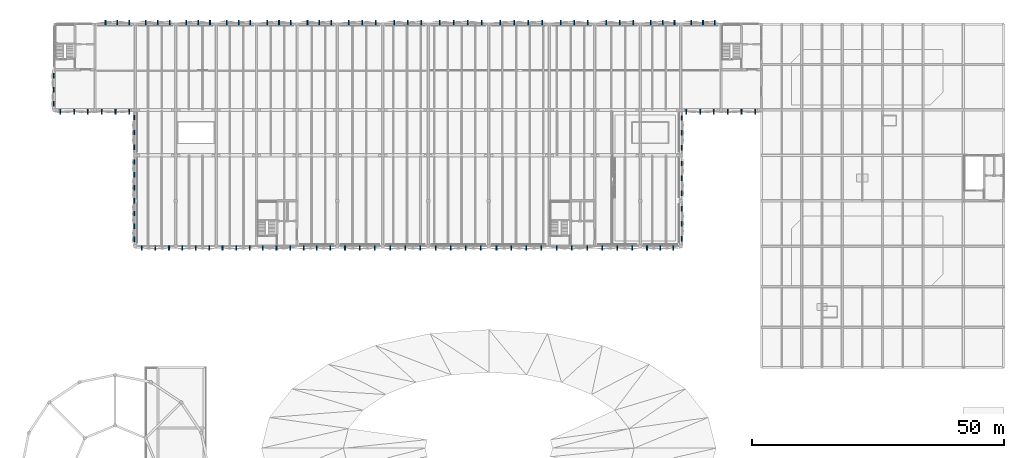
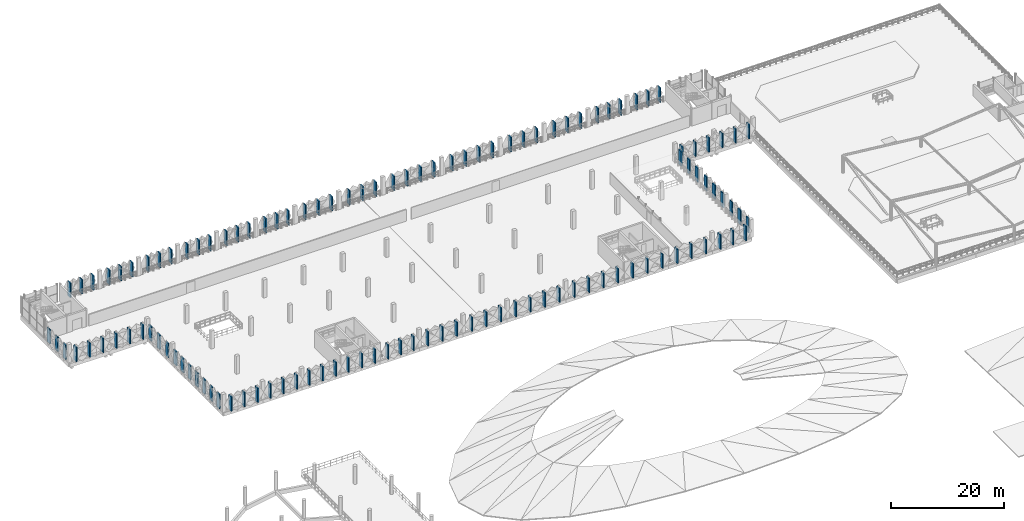
# One storey, part 33 of 52: 116 discrete accessories.
"""IFC4 building model written with IfcOpenShell, lengths in metres."""

from ifc_helpers import new_model, si_unit, derived_unit, direction, frame, origin, origin_2d, place, context, subcontext, project, spatial, rectangle, extrude, material, type_object, element, save


model = new_model("IFC4")

# Units and contexts
model_context = context("Model", 3, precision=1e-05, world=origin(), true_north=direction((0.0, 1.0)))
body_context = subcontext(model_context, "Body", "Model", "MODEL_VIEW")
ifc_project = project(units=[si_unit("LENGTHUNIT", "METRE"), si_unit("AREAUNIT", "SQUARE_METRE"), si_unit("VOLUMEUNIT", "CUBIC_METRE"), si_unit("PLANEANGLEUNIT", "RADIAN"), si_unit("MASSUNIT", "GRAM", prefix="KILO"), si_unit("THERMODYNAMICTEMPERATUREUNIT", "KELVIN"), derived_unit("THERMALTRANSMITTANCEUNIT", [(si_unit("POWERUNIT", "WATT"), 1), (si_unit("AREAUNIT", "SQUARE_METRE"), -1), (si_unit("THERMODYNAMICTEMPERATUREUNIT", "KELVIN"), -1)])], contexts=[model_context])

# Site, building, storey
site_placement = place(None, origin())
site = spatial("IfcSite", under=ifc_project, at=site_placement, CompositionType="ELEMENT")
building_placement = place(site_placement, origin())
building = spatial("IfcBuilding", under=site, at=building_placement, Name="Haiyu Intermodal Mobility Hub", CompositionType="ELEMENT")
storey_placement = place(building_placement, frame((0.0, 0.0, 21.199951171875)))
storey = spatial("IfcBuildingStorey", under=building, at=storey_placement, Name="L05", CompositionType="ELEMENT", Elevation=21.199951171875)

# Discrete accessories
ifc_material = material(Name="Steel Q355C", Category="steel")
discrete_accessory_type = type_object("IfcDiscreteAccessoryType", Name="ACC-BK02", PredefinedType="BRACKET", material=ifc_material)
for number, where, z_axis, x_axis, name in (
    (1, (36.787109375, 148.340087890625, 0.050048828125), (0.0, 0.0, 1.0), (1.0, 0.0, 0.0), "BRK-PYR-0031"),
    (2, (34.43994140625, 148.340087890625, 0.050048828125), (0.0, 0.0, 1.0), (1.0, 0.0, 0.0), "BRK-PYR-0034"),
    (3, (32.093017578125, 148.340087890625, 0.050048828125), (0.0, 0.0, 1.0), (1.0, 0.0, 0.0), "BRK-PYR-0035"),
    (4, (44.787109375, 148.340087890625, 0.050048828125), (0.0, 0.0, 1.0), (1.0, 0.0, 0.0), "BRK-PYR-0066"),
    (5, (42.43994140625, 148.340087890625, 0.050048828125), (0.0, 0.0, 1.0), (1.0, 0.0, 0.0), "BRK-PYR-0069"),
    (6, (40.093017578125, 148.340087890625, 0.050048828125), (0.0, 0.0, 1.0), (1.0, 0.0, 0.0), "BRK-PYR-0070"),
    (7, (52.787109375, 148.340087890625, 0.050048828125), (0.0, 0.0, 1.0), (1.0, 0.0, 0.0), "BRK-PYR-0101"),
    (8, (50.43994140625, 148.340087890625, 0.050048828125), (0.0, 0.0, 1.0), (1.0, 0.0, 0.0), "BRK-PYR-0104"),
    (9, (48.093017578125, 148.340087890625, 0.050048828125), (0.0, 0.0, 1.0), (1.0, 0.0, 0.0), "BRK-PYR-0105"),
    (10, (60.787109375, 148.340087890625, 0.050048828125), (0.0, 0.0, 1.0), (1.0, 0.0, 0.0), "BRK-PYR-0136"),
    (11, (58.43994140625, 148.340087890625, 0.050048828125), (0.0, 0.0, 1.0), (1.0, 0.0, 0.0), "BRK-PYR-0139"),
    (12, (56.093017578125, 148.340087890625, 0.050048828125), (0.0, 0.0, 1.0), (1.0, 0.0, 0.0), "BRK-PYR-0140"),
    (13, (68.787109375, 148.340087890625, 0.050048828125), (0.0, 0.0, 1.0), (1.0, 0.0, 0.0), "BRK-PYR-0171"),
    (14, (66.43994140625, 148.340087890625, 0.050048828125), (0.0, 0.0, 1.0), (1.0, 0.0, 0.0), "BRK-PYR-0174"),
    (15, (64.093017578125, 148.340087890625, 0.050048828125), (0.0, 0.0, 1.0), (1.0, 0.0, 0.0), "BRK-PYR-0175"),
    (16, (76.787109375, 148.340087890625, 0.050048828125), (0.0, 0.0, 1.0), (1.0, 0.0, 0.0), "BRK-PYR-0206"),
    (17, (74.43994140625, 148.340087890625, 0.050048828125), (0.0, 0.0, 1.0), (1.0, 0.0, 0.0), "BRK-PYR-0209"),
    (18, (72.093017578125, 148.340087890625, 0.050048828125), (0.0, 0.0, 1.0), (1.0, 0.0, 0.0), "BRK-PYR-0210"),
    (19, (85.6201171875, 148.340087890625, 0.050048828125), (0.0, 0.0, 1.0), (1.0, 0.0, 0.0), "BRK-PYR-0241"),
    (20, (82.93994140625, 148.340087890625, 0.050048828125), (0.0, 0.0, 1.0), (1.0, 0.0, 0.0), "BRK-PYR-0244"),
    (21, (80.260009765625, 148.340087890625, 0.050048828125), (0.0, 0.0, 1.0), (1.0, 0.0, 0.0), "BRK-PYR-0245"),
    (22, (94.6201171875, 148.340087890625, 0.050048828125), (0.0, 0.0, 1.0), (1.0, 0.0, 0.0), "BRK-PYR-0276"),
    (23, (91.93994140625, 148.340087890625, 0.050048828125), (0.0, 0.0, 1.0), (1.0, 0.0, 0.0), "BRK-PYR-0279"),
    (24, (89.260009765625, 148.340087890625, 0.050048828125), (0.0, 0.0, 1.0), (1.0, 0.0, 0.0), "BRK-PYR-0280"),
    (25, (106.580078125, 148.340087890625, 0.050048828125), (0.0, 0.0, 1.0), (1.0, 0.0, 0.0), "BRK-PYR-0323"),
    (26, (103.820068359375, 148.340087890625, 0.050048828125), (0.0, 0.0, 1.0), (1.0, 0.0, 0.0), "BRK-PYR-0326"),
    (27, (101.06005859375, 148.340087890625, 0.050048828125), (0.0, 0.0, 1.0), (1.0, 0.0, 0.0), "BRK-PYR-0329"),
    (28, (98.300048828125, 148.340087890625, 0.050048828125), (0.0, 0.0, 1.0), (1.0, 0.0, 0.0), "BRK-PYR-0330"),
    (29, (118.580078125, 148.340087890625, 0.050048828125), (0.0, 0.0, 1.0), (1.0, 0.0, 0.0), "BRK-PYR-0373"),
    (30, (115.820068359375, 148.340087890625, 0.050048828125), (0.0, 0.0, 1.0), (1.0, 0.0, 0.0), "BRK-PYR-0376"),
    (31, (113.06005859375, 148.340087890625, 0.050048828125), (0.0, 0.0, 1.0), (1.0, 0.0, 0.0), "BRK-PYR-0379"),
    (32, (110.300048828125, 148.340087890625, 0.050048828125), (0.0, 0.0, 1.0), (1.0, 0.0, 0.0), "BRK-PYR-0380"),
    (33, (127.6201171875, 148.340087890625, 0.050048828125), (0.0, 0.0, 1.0), (1.0, 0.0, 0.0), "BRK-PYR-0411"),
    (34, (124.93994140625, 148.340087890625, 0.050048828125), (0.0, 0.0, 1.0), (1.0, 0.0, 0.0), "BRK-PYR-0414"),
    (35, (122.260009765625, 148.340087890625, 0.050048828125), (0.0, 0.0, 1.0), (1.0, 0.0, 0.0), "BRK-PYR-0415"),
    (36, (136.6201171875, 148.340087890625, 0.050048828125), (0.0, 0.0, 1.0), (1.0, 0.0, 0.0), "BRK-PYR-0446"),
    (37, (133.93994140625, 148.340087890625, 0.050048828125), (0.0, 0.0, 1.0), (1.0, 0.0, 0.0), "BRK-PYR-0449"),
    (38, (131.260009765625, 148.340087890625, 0.050048828125), (0.0, 0.0, 1.0), (1.0, 0.0, 0.0), "BRK-PYR-0450"),
    (39, (144.787109375, 148.340087890625, 0.050048828125), (0.0, 0.0, 1.0), (1.0, 0.0, 0.0), "BRK-PYR-0481"),
    (40, (142.43994140625, 148.340087890625, 0.050048828125), (0.0, 0.0, 1.0), (1.0, 0.0, 0.0), "BRK-PYR-0484"),
    (41, (140.093017578125, 148.340087890625, 0.050048828125), (0.0, 0.0, 1.0), (1.0, 0.0, 0.0), "BRK-PYR-0485"),
    (42, (152.787109375, 148.340087890625, 0.050048828125), (0.0, 0.0, 1.0), (1.0, 0.0, 0.0), "BRK-PYR-0516"),
    (43, (150.43994140625, 148.340087890625, 0.050048828125), (0.0, 0.0, 1.0), (1.0, 0.0, 0.0), "BRK-PYR-0519"),
    (44, (148.093017578125, 148.340087890625, 0.050048828125), (0.0, 0.0, 1.0), (1.0, 0.0, 0.0), "BRK-PYR-0520"),
    (45, (37.800048828125, 120.68603515625, 0.050048828125), (0.0, 0.0, 1.0), (1.0, 0.0, 0.0), "BRK-PYR-0599"),
    (46, (37.800048828125, 118.136962890625, 0.050048828125), (0.0, 0.0, 1.0), (1.0, 0.0, 0.0), "BRK-PYR-0602"),
    (47, (37.800048828125, 115.589111328125, 0.050048828125), (0.0, 0.0, 1.0), (1.0, 0.0, 0.0), "BRK-PYR-0605"),
    (48, (37.800048828125, 113.0400390625, 0.050048828125), (0.0, 0.0, 1.0), (1.0, 0.0, 0.0), "BRK-PYR-0608"),
    (49, (37.800048828125, 110.490966796875, 0.050048828125), (0.0, 0.0, 1.0), (1.0, 0.0, 0.0), "BRK-PYR-0611"),
    (50, (37.800048828125, 107.943115234375, 0.050048828125), (0.0, 0.0, 1.0), (1.0, 0.0, 0.0), "BRK-PYR-0614"),
    (51, (37.800048828125, 105.39404296875, 0.050048828125), (0.0, 0.0, 1.0), (1.0, 0.0, 0.0), "BRK-PYR-0615"),
    (52, (37.800048828125, 129.487060546875, 0.050048828125), (0.0, 0.0, 1.0), (1.0, 0.0, 0.0), "BRK-PYR-0646"),
    (53, (37.800048828125, 126.5400390625, 0.050048828125), (0.0, 0.0, 1.0), (1.0, 0.0, 0.0), "BRK-PYR-0649"),
    (54, (37.800048828125, 123.593017578125, 0.050048828125), (0.0, 0.0, 1.0), (1.0, 0.0, 0.0), "BRK-PYR-0650"),
    (55, (146.199951171875, 105.512939453125, 0.050048828125), (0.0, 0.0, 1.0), (1.0, 0.0, 0.0), "BRK-PYR-0728"),
    (56, (146.199951171875, 108.4599609375, 0.050048828125), (0.0, 0.0, 1.0), (1.0, 0.0, 0.0), "BRK-PYR-0731"),
    (57, (146.199951171875, 111.406982421875, 0.050048828125), (0.0, 0.0, 1.0), (1.0, 0.0, 0.0), "BRK-PYR-0732"),
    (58, (146.199951171875, 114.512939453125, 0.050048828125), (0.0, 0.0, 1.0), (1.0, 0.0, 0.0), "BRK-PYR-0735"),
    (59, (146.199951171875, 117.4599609375, 0.050048828125), (0.0, 0.0, 1.0), (1.0, 0.0, 0.0), "BRK-PYR-0738"),
    (60, (146.199951171875, 120.406982421875, 0.050048828125), (0.0, 0.0, 1.0), (1.0, 0.0, 0.0), "BRK-PYR-0739"),
    (61, (146.199951171875, 123.512939453125, 0.050048828125), (0.0, 0.0, 1.0), (1.0, 0.0, 0.0), "BRK-PYR-0742"),
    (62, (146.199951171875, 126.4599609375, 0.050048828125), (0.0, 0.0, 1.0), (1.0, 0.0, 0.0), "BRK-PYR-0745"),
    (63, (146.199951171875, 129.406982421875, 0.050048828125), (0.0, 0.0, 1.0), (1.0, 0.0, 0.0), "BRK-PYR-0746"),
    (64, (71.346923828125, 103.659912109375, 0.050048828125), (0.0, 0.0, 1.0), (1.0, 0.0, 0.0), "BRK-PYR-0777"),
    (65, (73.9599609375, 103.659912109375, 0.050048828125), (0.0, 0.0, 1.0), (1.0, 0.0, 0.0), "BRK-PYR-0780"),
    (66, (76.572998046875, 103.659912109375, 0.050048828125), (0.0, 0.0, 1.0), (1.0, 0.0, 0.0), "BRK-PYR-0781"),
    (67, (79.512939453125, 103.659912109375, 0.050048828125), (0.0, 0.0, 1.0), (1.0, 0.0, 0.0), "BRK-PYR-0812"),
    (68, (82.4599609375, 103.659912109375, 0.050048828125), (0.0, 0.0, 1.0), (1.0, 0.0, 0.0), "BRK-PYR-0815"),
    (69, (85.406982421875, 103.659912109375, 0.050048828125), (0.0, 0.0, 1.0), (1.0, 0.0, 0.0), "BRK-PYR-0816"),
    (70, (88.512939453125, 103.659912109375, 0.050048828125), (0.0, 0.0, 1.0), (1.0, 0.0, 0.0), "BRK-PYR-0840"),
    (71, (91.4599609375, 103.659912109375, 0.050048828125), (0.0, 0.0, 1.0), (1.0, 0.0, 0.0), "BRK-PYR-0843"),
    (72, (94.406982421875, 103.659912109375, 0.050048828125), (0.0, 0.0, 1.0), (1.0, 0.0, 0.0), "BRK-PYR-0844"),
    (73, (97.52001953125, 103.659912109375, 0.050048828125), (0.0, 0.0, 1.0), (1.0, 0.0, 0.0), "BRK-PYR-0887"),
    (74, (100.47998046875, 103.659912109375, 0.050048828125), (0.0, 0.0, 1.0), (1.0, 0.0, 0.0), "BRK-PYR-0890"),
    (75, (103.43994140625, 103.659912109375, 0.050048828125), (0.0, 0.0, 1.0), (1.0, 0.0, 0.0), "BRK-PYR-0893"),
    (76, (106.39990234375, 103.659912109375, 0.050048828125), (0.0, 0.0, 1.0), (1.0, 0.0, 0.0), "BRK-PYR-0894"),
    (77, (109.52001953125, 103.659912109375, 0.050048828125), (0.0, 0.0, 1.0), (1.0, 0.0, 0.0), "BRK-PYR-0937"),
    (78, (112.47998046875, 103.659912109375, 0.050048828125), (0.0, 0.0, 1.0), (1.0, 0.0, 0.0), "BRK-PYR-0940"),
    (79, (115.43994140625, 103.659912109375, 0.050048828125), (0.0, 0.0, 1.0), (1.0, 0.0, 0.0), "BRK-PYR-0943"),
    (80, (118.39990234375, 103.659912109375, 0.050048828125), (0.0, 0.0, 1.0), (1.0, 0.0, 0.0), "BRK-PYR-0944"),
    (81, (130.512939453125, 103.659912109375, 0.050048828125), (0.0, 0.0, 1.0), (1.0, 0.0, 0.0), "BRK-PYR-0975"),
    (82, (133.4599609375, 103.659912109375, 0.050048828125), (0.0, 0.0, 1.0), (1.0, 0.0, 0.0), "BRK-PYR-0978"),
    (83, (136.406982421875, 103.659912109375, 0.050048828125), (0.0, 0.0, 1.0), (1.0, 0.0, 0.0), "BRK-PYR-0979"),
    (84, (139.346923828125, 103.659912109375, 0.050048828125), (0.0, 0.0, 1.0), (1.0, 0.0, 0.0), "BRK-PYR-1010"),
    (85, (141.9599609375, 103.659912109375, 0.050048828125), (0.0, 0.0, 1.0), (1.0, 0.0, 0.0), "BRK-PYR-1013"),
    (86, (144.572998046875, 103.659912109375, 0.050048828125), (0.0, 0.0, 1.0), (1.0, 0.0, 0.0), "BRK-PYR-1014"),
    (87, (63.260009765625, 103.659912109375, 0.050048828125), (0.0, 0.0, 1.0), (1.0, 0.0, 0.0), "BRK-PYR-2248"),
    (88, (65.9599609375, 103.659912109375, 0.050048828125), (0.0, 0.0, 1.0), (1.0, 0.0, 0.0), "BRK-PYR-2251"),
    (89, (68.659912109375, 103.659912109375, 0.050048828125), (0.0, 0.0, 1.0), (1.0, 0.0, 0.0), "BRK-PYR-2252"),
    (90, (121.427001953125, 103.659912109375, 0.050048828125), (0.0, 0.0, 1.0), (1.0, 0.0, 0.0), "BRK-PYR-2255"),
    (91, (124.4599609375, 103.659912109375, 0.050048828125), (0.0, 0.0, 1.0), (1.0, 0.0, 0.0), "BRK-PYR-2258"),
    (92, (127.492919921875, 103.659912109375, 0.050048828125), (0.0, 0.0, 1.0), (1.0, 0.0, 0.0), "BRK-PYR-2259"),
    (93, (21.800048828125, 137.757080078125, 0.050048828125), (0.0, 0.0, 1.0), (1.0, 0.0, 0.0), "BRK-PYR-2318"),
    (94, (21.800048828125, 134.989990234375, 0.050048828125), (0.0, 0.0, 1.0), (1.0, 0.0, 0.0), "BRK-PYR-2321"),
    (95, (21.800048828125, 132.222900390625, 0.050048828125), (0.0, 0.0, 1.0), (1.0, 0.0, 0.0), "BRK-PYR-2322"),
    (96, (23.126953125, 130.659912109375, 0.050048828125), (0.0, 0.0, 1.0), (1.0, 0.0, 0.0), "BRK-PYR-2421"),
    (97, (25.860107421875, 130.659912109375, 0.050048828125), (0.0, 0.0, 1.0), (1.0, 0.0, 0.0), "BRK-PYR-2424"),
    (98, (28.593017578125, 130.659912109375, 0.050048828125), (0.0, 0.0, 1.0), (1.0, 0.0, 0.0), "BRK-PYR-2427"),
    (99, (31.326904296875, 130.659912109375, 0.050048828125), (0.0, 0.0, 1.0), (1.0, 0.0, 0.0), "BRK-PYR-2430"),
    (100, (34.06005859375, 130.659912109375, 0.050048828125), (0.0, 0.0, 1.0), (1.0, 0.0, 0.0), "BRK-PYR-2433"),
    (101, (36.79296875, 130.659912109375, 0.050048828125), (0.0, 0.0, 1.0), (1.0, 0.0, 0.0), "BRK-PYR-2434"),
    (102, (147.126953125, 130.659912109375, 0.050048828125), (0.0, 0.0, 1.0), (1.0, 0.0, 0.0), "BRK-PYR-2437"),
    (103, (149.860107421875, 130.659912109375, 0.050048828125), (0.0, 0.0, 1.0), (1.0, 0.0, 0.0), "BRK-PYR-2440"),
    (104, (152.593017578125, 130.659912109375, 0.050048828125), (0.0, 0.0, 1.0), (1.0, 0.0, 0.0), "BRK-PYR-2443"),
    (105, (155.326904296875, 130.659912109375, 0.050048828125), (0.0, 0.0, 1.0), (1.0, 0.0, 0.0), "BRK-PYR-2446"),
    (106, (158.06005859375, 130.659912109375, 0.050048828125), (0.0, 0.0, 1.0), (1.0, 0.0, 0.0), "BRK-PYR-2449"),
    (107, (160.79296875, 130.659912109375, 0.050048828125), (0.0, 0.0, 1.0), (1.0, 0.0, 0.0), "BRK-PYR-2450"),
    (108, (39.260009765625, 103.659912109375, 0.050048828125), (0.0, 0.0, 1.0), (1.0, 0.0, 0.0), "BRK-PYR-2558"),
    (109, (41.9599609375, 103.659912109375, 0.050048828125), (0.0, 0.0, 1.0), (1.0, 0.0, 0.0), "BRK-PYR-2561"),
    (110, (44.659912109375, 103.659912109375, 0.050048828125), (0.0, 0.0, 1.0), (1.0, 0.0, 0.0), "BRK-PYR-2562"),
    (111, (47.260009765625, 103.659912109375, 0.050048828125), (0.0, 0.0, 1.0), (1.0, 0.0, 0.0), "BRK-PYR-2565"),
    (112, (49.9599609375, 103.659912109375, 0.050048828125), (0.0, 0.0, 1.0), (1.0, 0.0, 0.0), "BRK-PYR-2568"),
    (113, (52.659912109375, 103.659912109375, 0.050048828125), (0.0, 0.0, 1.0), (1.0, 0.0, 0.0), "BRK-PYR-2569"),
    (114, (55.260009765625, 103.659912109375, 0.050048828125), (0.0, 0.0, 1.0), (1.0, 0.0, 0.0), "BRK-PYR-2572"),
    (115, (57.9599609375, 103.659912109375, 0.050048828125), (0.0, 0.0, 1.0), (1.0, 0.0, 0.0), "BRK-PYR-2575"),
    (116, (60.659912109375, 103.659912109375, 0.050048828125), (0.0, 0.0, 1.0), (1.0, 0.0, 0.0), "BRK-PYR-2576"),
):
    element("IfcDiscreteAccessory", number, at=place(storey_placement, frame(where, z_axis=z_axis, x_axis=x_axis)), inside=storey, type_object=discrete_accessory_type, Name=name, PredefinedType="BRACKET", context=body_context, shape_type="SweptSolid", body=[
        extrude(rectangle(XDim=0.219970703125, YDim=0.949951171875, at=origin_2d()), origin(), (0.0, 0.0, 1.0), 3.10009765625),
    ])

save(model, "model.ifc")
